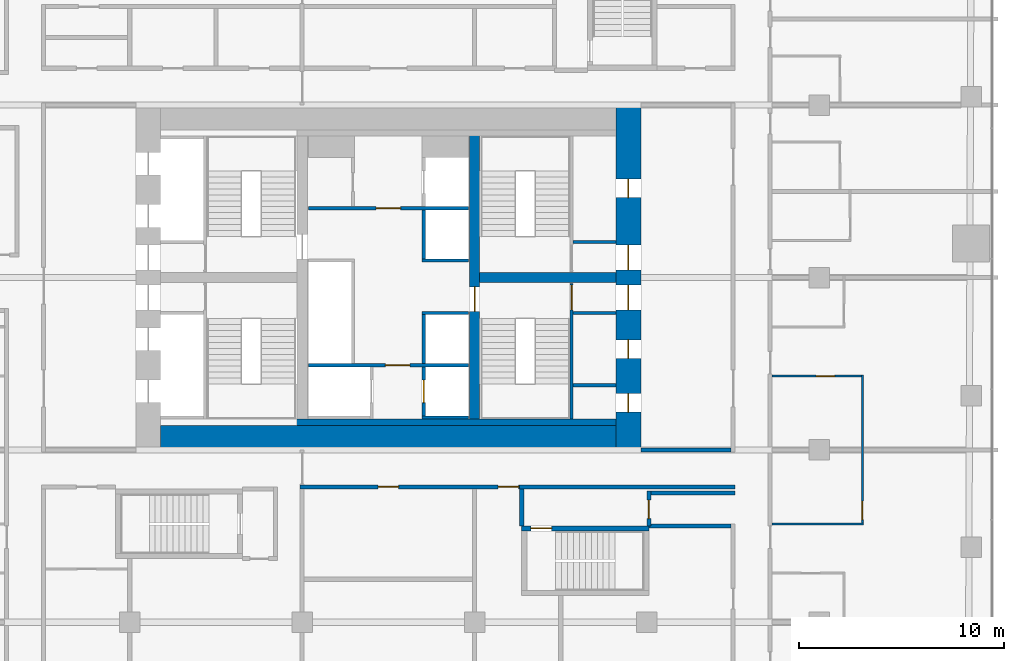
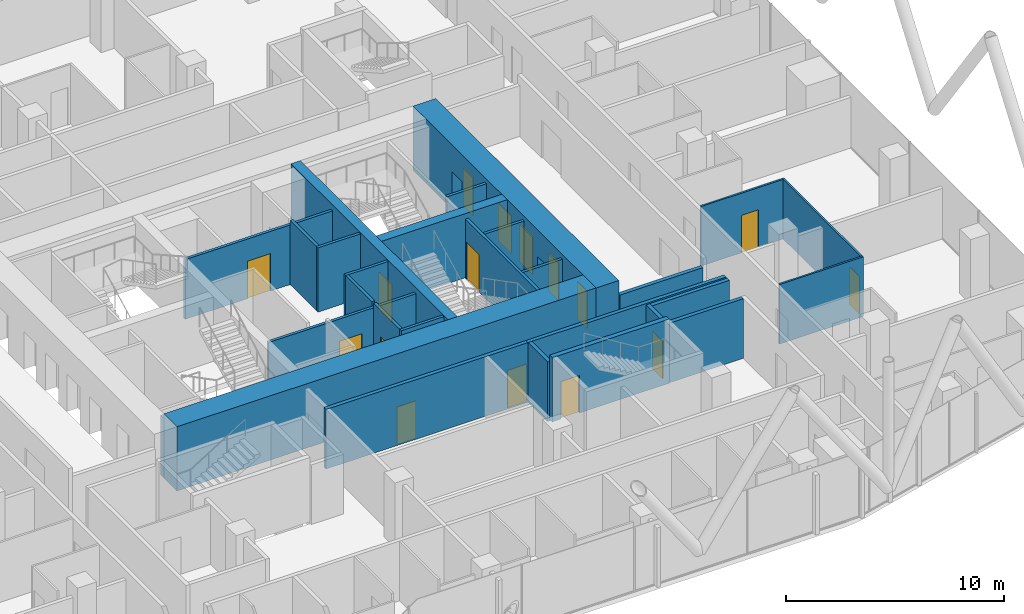
# One storey, part 27 of 34: 28 walls, 16 doors, 16 openings.
"""IFC4 building model written with IfcOpenShell, lengths in metres."""

from ifc_helpers import new_model, si_unit, direction, frame, frame_2d, origin, place, context, subcontext, project, spatial, rectangle, extrude, material, layer, layer_set, type_object, element, fill, save


model = new_model("IFC4")

# Units and contexts
model_context = context("Model", 3, precision=1e-05, world=origin(), true_north=direction((0.0, 1.0)))
body_context = subcontext(model_context, "Body", "Model", "MODEL_VIEW")
ifc_project = project(units=[si_unit("LENGTHUNIT", "METRE"), si_unit("AREAUNIT", "SQUARE_METRE"), si_unit("VOLUMEUNIT", "CUBIC_METRE"), si_unit("PLANEANGLEUNIT", "RADIAN"), si_unit("MASSUNIT", "GRAM", prefix="KILO")], contexts=[model_context])

# Site, building, storey
site_placement = place(None, origin())
site = spatial("IfcSite", under=ifc_project, at=site_placement, CompositionType="ELEMENT")
building_placement = place(site_placement, origin())
building = spatial("IfcBuilding", under=site, at=building_placement, Name="Marenta Gate Hotel Tower", CompositionType="ELEMENT")
storey_placement = place(building_placement, frame((0.0, 0.0, 47.300048828125)))
storey = spatial("IfcBuildingStorey", under=building, at=storey_placement, Name="L09", CompositionType="ELEMENT", Elevation=47.300048828125)

# Walls
ifc_material_1 = material(Name="Concrete blockwork", Category="masonry")
ifc_layer_1 = layer(ifc_material_1, 0.199951171875)
ifc_layer_set_1 = layer_set([ifc_layer_1], Name="Concrete blockwork")
wall_type_1 = type_object("IfcWallType", Name="Core boundary wall 200 REI 180", PredefinedType="PARTITIONING", material=ifc_layer_set_1)
wall_1_placement = place(storey_placement, frame((12.300048828125, 0.0, 0.0), z_axis=(0.0, 0.0, 1.0), x_axis=(1.0, 0.0, 0.0)))
element("IfcWall", 1, at=wall_1_placement, inside=storey, type_object=wall_type_1, Name="L09-CP-EW-ES", PredefinedType="PARTITIONING", context=body_context, shape_type="SweptSolid", body=[
    extrude(rectangle(XDim=4.39990234375, YDim=0.199951171875, at=frame_2d((2.199951171875, 0.0))), origin(), (0.0, 0.0, 1.0), 2.83984375),
])
ifc_material_2 = material(Name="Concrete C40", Category="concrete")
ifc_layer_2 = layer(ifc_material_2, 0.300048828125)
ifc_layer_set_2 = layer_set([ifc_layer_2], Name="Concrete C40")
wall_type_2 = type_object("IfcWallType", Name="Core lining wall 300 REI 180", PredefinedType="PARTITIONING", material=ifc_layer_set_2)
wall_2_placement = place(storey_placement, frame((-11.10009765625, 1.35009765625, 0.0), z_axis=(0.0, 0.0, 1.0), x_axis=(1.0, 0.0, 0.0)))
element("IfcWall", 2, at=wall_2_placement, inside=storey, type_object=wall_type_2, Name="L09-CP-LN-S", PredefinedType="PARTITIONING", context=body_context, shape_type="SweptSolid", body=[
    extrude(rectangle(XDim=22.2001953125, YDim=0.300048828125, at=frame_2d((11.10009765625, 0.0))), origin(), (0.0, 0.0, 1.0), 3.33984375),
])

# Wall, opening, door
ifc_material_3 = material(Name="Concrete blockwork", Category="masonry")
ifc_layer_3 = layer(ifc_material_3, 0.14990234375)
ifc_layer_set_3 = layer_set([ifc_layer_3], Name="Concrete blockwork")
wall_type_3 = type_object("IfcWallType", Name="Core lobby partition 150 REI 180", PredefinedType="PARTITIONING", material=ifc_layer_set_3)
wall_3_placement = place(storey_placement, frame((-3.89990234375, 4.125, 0.0), z_axis=(0.0, 0.0, 1.0), x_axis=(1.0, 0.0, 0.0)))
wall_3 = element("IfcWall", 3, at=wall_3_placement, inside=storey, type_object=wall_type_3, Name="L09-CP-CW-S", PredefinedType="PARTITIONING", context=body_context, shape_type="SweptSolid", body=[
    extrude(rectangle(XDim=7.7998046875, YDim=0.14990234375, at=frame_2d((3.89990234375, 0.0))), origin(), (0.0, 0.0, 1.0), 3.33984375),
])
opening_1_placement = place(wall_3_placement, frame((3.75, 0.0, 0.0)))
opening_1 = element("IfcOpeningElement", 4, at=opening_1_placement, cuts=wall_3, Name="Opening FD-FFS", PredefinedType="OPENING", context=body_context, shape_type="SweptSolid", body=[
    extrude(rectangle(XDim=1.199951171875, YDim=2.10009765625, at=frame_2d((0.60009765625, 1.050048828125))), frame((0.0, 0.074951171875, 0.0), z_axis=(0.0, -1.0, 0.0), x_axis=(1.0, 0.0, 0.0)), (0.0, 0.0, 1.0), 0.14990234375),
])
ifc_material_4 = material(Name="Steel", Category="steel")
door_type_1 = type_object("IfcDoorType", Name="Core lobby door 1200x2100 FD60", OperationType="SINGLE_SWING_LEFT", PredefinedType="DOOR", material=ifc_material_4)
door_1_placement = place(opening_1_placement, origin())
door_1 = element("IfcDoor", 5, at=door_1_placement, inside=storey, type_object=door_type_1, Name="FD-FFS", OperationType="SINGLE_SWING_LEFT", OverallHeight=2.10009765625, OverallWidth=1.199951171875, PredefinedType="DOOR", context=body_context, shape_type="SweptSolid", body=[
    extrude(rectangle(XDim=1.199951171875, YDim=2.10009765625, at=frame_2d((0.60009765625, 1.050048828125))), frame((0.0, 0.02490234375, 0.0), z_axis=(0.0, -1.0, 0.0), x_axis=(1.0, 0.0, 0.0)), (0.0, 0.0, 1.0), 0.050048828125),
])
fill(opening_1, door_1)

wall_4_placement = place(storey_placement, frame((-3.89990234375, 11.77490234375, 0.0), z_axis=(0.0, 0.0, 1.0), x_axis=(1.0, 0.0, 0.0)))
wall_4 = element("IfcWall", 6, at=wall_4_placement, inside=storey, type_object=wall_type_3, Name="L09-CP-CW-N", PredefinedType="PARTITIONING", context=body_context, shape_type="SweptSolid", body=[
    extrude(rectangle(XDim=7.7998046875, YDim=0.14990234375, at=frame_2d((3.89990234375, 0.0))), origin(), (0.0, 0.0, 1.0), 3.33984375),
])
opening_2_placement = place(wall_4_placement, frame((3.300048828125, 0.0, 0.0)))
opening_2 = element("IfcOpeningElement", 7, at=opening_2_placement, cuts=wall_4, Name="Opening FD-FFN", PredefinedType="OPENING", context=body_context, shape_type="SweptSolid", body=[
    extrude(rectangle(XDim=1.199951171875, YDim=2.10009765625, at=frame_2d((0.60009765625, 1.050048828125))), frame((0.0, 0.074951171875, 0.0), z_axis=(0.0, -1.0, 0.0), x_axis=(1.0, 0.0, 0.0)), (0.0, 0.0, 1.0), 0.14990234375),
])
door_2_placement = place(opening_2_placement, origin())
door_2 = element("IfcDoor", 8, at=door_2_placement, inside=storey, type_object=door_type_1, Name="FD-FFN", OperationType="SINGLE_SWING_LEFT", OverallHeight=2.10009765625, OverallWidth=1.199951171875, PredefinedType="DOOR", context=body_context, shape_type="SweptSolid", body=[
    extrude(rectangle(XDim=1.199951171875, YDim=2.10009765625, at=frame_2d((0.60009765625, 1.050048828125))), frame((0.0, 0.02490234375, 0.0), z_axis=(0.0, -1.0, 0.0), x_axis=(1.0, 0.0, 0.0)), (0.0, 0.0, 1.0), 0.050048828125),
])
fill(opening_2, door_2)

# Walls
ifc_material_5 = material(Name="Concrete blockwork", Category="masonry")
ifc_layer_4 = layer(ifc_material_5, 0.14990234375)
ifc_layer_set_4 = layer_set([ifc_layer_4], Name="Concrete blockwork")
wall_type_4 = type_object("IfcWallType", Name="Core room partition 150 REI 180", PredefinedType="PARTITIONING", material=ifc_layer_set_4)
for number, where, z_axis, x_axis, name in (
    (9, (9.0, 6.675048828125, 0.0), (0.0, 0.0, 1.0), (1.0, 0.0, 0.0), "L09-CP-SW-ES-2"),
    (10, (9.0, 3.14990234375, 0.0), (0.0, 0.0, 1.0), (1.0, 0.0, 0.0), "L09-CP-RW-ES-1"),
    (11, (9.0, 10.125, 0.0), (0.0, 0.0, 1.0), (1.0, 0.0, 0.0), "L09-CP-SW-EN-2"),
):
    element("IfcWall", number, at=place(storey_placement, frame(where, z_axis=z_axis, x_axis=x_axis)), inside=storey, type_object=wall_type_4, Name=name, PredefinedType="PARTITIONING", context=body_context, shape_type="SweptSolid", body=[
        extrude(rectangle(XDim=2.10009765625, YDim=0.14990234375, at=frame_2d((1.050048828125, 0.0))), origin(), (0.0, 0.0, 1.0), 3.33984375),
    ])

# Wall, opening, door
ifc_material_6 = material(Name="Concrete C40", Category="concrete")
ifc_layer_5 = layer(ifc_material_6, 0.14990234375)
ifc_layer_set_5 = layer_set([ifc_layer_5], Name="Concrete C40")
wall_type_5 = type_object("IfcWallType", Name="Core shaft wall 150 REI 180", PredefinedType="SHEAR", material=ifc_layer_set_5)
wall_5_placement = place(storey_placement, frame((1.72509765625, 1.64990234375, 0.0), z_axis=(0.0, 0.0, 1.0), x_axis=(0.0, 1.0, 0.0)))
wall_5 = element("IfcWall", 12, at=wall_5_placement, inside=storey, type_object=wall_type_5, Name="L09-SHF-CE-S-ls", PredefinedType="SHEAR", context=body_context, shape_type="SweptSolid", body=[
    extrude(rectangle(XDim=2.400146484375, YDim=0.14990234375, at=frame_2d((1.2001953125, 0.0))), origin(), (0.0, 0.0, 1.0), 3.599853515625),
])
opening_3_placement = place(wall_5_placement, frame((0.64990234375, 0.0, 0.0)))
opening_3 = element("IfcOpeningElement", 13, at=opening_3_placement, cuts=wall_5, Name="Opening LD-SV1", PredefinedType="OPENING", context=body_context, shape_type="SweptSolid", body=[
    extrude(rectangle(XDim=1.10009765625, YDim=2.10009765625, at=frame_2d((0.550048828125, 1.050048828125))), frame((0.0, 0.074951171875, 0.0), z_axis=(0.0, -1.0, 0.0), x_axis=(1.0, 0.0, 0.0)), (0.0, 0.0, 1.0), 0.14990234375),
])
ifc_material_7 = material(Name="Steel", Category="steel")
door_type_2 = type_object("IfcDoorType", Name="Core lift landing door 1100x2100 E 60", OperationType="SLIDING_TO_LEFT", PredefinedType="DOOR", material=ifc_material_7)
door_3_placement = place(opening_3_placement, origin())
door_3 = element("IfcDoor", 14, at=door_3_placement, inside=storey, type_object=door_type_2, Name="LD-SV1", OperationType="SLIDING_TO_LEFT", OverallHeight=2.10009765625, OverallWidth=1.10009765625, PredefinedType="DOOR", context=body_context, shape_type="SweptSolid", body=[
    extrude(rectangle(XDim=1.10009765625, YDim=2.10009765625, at=frame_2d((0.550048828125, 1.050048828125))), frame((0.0, 0.02490234375, 0.0), z_axis=(0.0, -1.0, 0.0), x_axis=(1.0, 0.0, 0.0)), (0.0, 0.0, 1.0), 0.050048828125),
])
fill(opening_3, door_3)

# Walls
for number, where, z_axis, x_axis, name in (
    (15, (1.64990234375, 1.574951171875, 0.0), (0.0, 0.0, 1.0), (1.0, 0.0, 0.0), "L09-SHF-CE-S-bot"),
    (16, (1.64990234375, 6.675048828125, 0.0), (0.0, 0.0, 1.0), (1.0, 0.0, 0.0), "L09-SHF-CE-sep1"),
    (17, (1.64990234375, 9.22509765625, 0.0), (0.0, 0.0, 1.0), (1.0, 0.0, 0.0), "L09-SHF-CE-sep2"),
):
    element("IfcWall", number, at=place(storey_placement, frame(where, z_axis=z_axis, x_axis=x_axis)), inside=storey, type_object=wall_type_5, Name=name, PredefinedType="SHEAR", context=body_context, shape_type="SweptSolid", body=[
        extrude(rectangle(XDim=2.25, YDim=0.14990234375, at=frame_2d((1.125, 0.0))), origin(), (0.0, 0.0, 1.0), 3.599853515625),
    ])
wall_6_placement = place(storey_placement, frame((1.72509765625, 4.199951171875, 0.0), z_axis=(0.0, 0.0, 1.0), x_axis=(0.0, 1.0, 0.0)))
element("IfcWall", 18, at=wall_6_placement, inside=storey, type_object=wall_type_5, Name="L09-SHF-CE-front-1", PredefinedType="SHEAR", context=body_context, shape_type="SweptSolid", body=[
    extrude(rectangle(XDim=2.400146484375, YDim=0.14990234375, at=frame_2d((1.2001953125, 0.0))), origin(), (0.0, 0.0, 1.0), 3.599853515625),
])
wall_7_placement = place(storey_placement, frame((1.72509765625, 9.300048828125, 0.0), z_axis=(0.0, 0.0, 1.0), x_axis=(0.0, 1.0, 0.0)))
element("IfcWall", 19, at=wall_7_placement, inside=storey, type_object=wall_type_5, Name="L09-SHF-CE-front-2", PredefinedType="SHEAR", context=body_context, shape_type="SweptSolid", body=[
    extrude(rectangle(XDim=2.39990234375, YDim=0.14990234375, at=frame_2d((1.199951171875, 0.0))), origin(), (0.0, 0.0, 1.0), 3.599853515625),
])

# Wall, opening, door
ifc_material_8 = material(Name="Concrete C40", Category="concrete")
ifc_layer_6 = layer(ifc_material_8, 0.14990234375)
ifc_layer_set_6 = layer_set([ifc_layer_6], Name="Concrete C40")
wall_type_6 = type_object("IfcWallType", Name="Core stair enclosure wall 150 REI 180", PredefinedType="SHEAR", material=ifc_layer_set_6)
wall_8_placement = place(storey_placement, frame((8.925048828125, 1.5, 0.0), z_axis=(0.0, 0.0, 1.0), x_axis=(0.0, 1.0, 0.0)))
wall_8 = element("IfcWall", 20, at=wall_8_placement, inside=storey, type_object=wall_type_6, Name="L09-SHF-SW-ES-3", PredefinedType="SHEAR", context=body_context, shape_type="SweptSolid", body=[
    extrude(rectangle(XDim=6.60009765625, YDim=0.14990234375, at=frame_2d((3.300048828125, 0.0))), origin(), (0.0, 0.0, 1.0), 3.33984375),
])
opening_4_placement = place(wall_8_placement, frame((5.324951171875, 0.0, 0.0)))
opening_4 = element("IfcOpeningElement", 21, at=opening_4_placement, cuts=wall_8, Name="Opening SD-ES", PredefinedType="OPENING", context=body_context, shape_type="SweptSolid", body=[
    extrude(rectangle(XDim=1.199951171875, YDim=2.10009765625, at=frame_2d((0.60009765625, 1.050048828125))), frame((0.0, 0.074951171875, 0.0), z_axis=(0.0, -1.0, 0.0), x_axis=(1.0, 0.0, 0.0)), (0.0, 0.0, 1.0), 0.14990234375),
])
ifc_material_9 = material(Name="Steel", Category="steel")
door_type_3 = type_object("IfcDoorType", Name="Core stair door 1200x2100 FD60", OperationType="SINGLE_SWING_LEFT", PredefinedType="DOOR", material=ifc_material_9)
door_4_placement = place(opening_4_placement, origin())
door_4 = element("IfcDoor", 22, at=door_4_placement, inside=storey, type_object=door_type_3, Name="SD-ES", OperationType="SINGLE_SWING_LEFT", OverallHeight=2.10009765625, OverallWidth=1.199951171875, PredefinedType="DOOR", context=body_context, shape_type="SweptSolid", body=[
    extrude(rectangle(XDim=1.199951171875, YDim=2.10009765625, at=frame_2d((0.60009765625, 1.050048828125))), frame((0.0, 0.02490234375, 0.0), z_axis=(0.0, -1.0, 0.0), x_axis=(1.0, 0.0, 0.0)), (0.0, 0.0, 1.0), 0.050048828125),
])
fill(opening_4, door_4)

# Wall, openings, doors
ifc_material_10 = material(Name="Concrete C80", Category="concrete")
ifc_layer_7 = layer(ifc_material_10, 1.199951171875)
ifc_layer_set_7 = layer_set([ifc_layer_7], Name="Concrete C80")
wall_type_7 = type_object("IfcWallType", Name="Core wall 1200 C80", PredefinedType="SHEAR", material=ifc_layer_set_7)
wall_9_placement = place(storey_placement, frame((11.699951171875, 0.0, 0.0), z_axis=(0.0, 0.0, 1.0), x_axis=(0.0, 1.0, 0.0)))
wall_9 = element("IfcWall", 23, at=wall_9_placement, inside=storey, type_object=wall_type_7, Name="L09-CORE-E", PredefinedType="SHEAR", context=body_context, shape_type="SweptSolid", body=[
    extrude(rectangle(XDim=16.800048828125, YDim=1.199951171875, at=frame_2d((8.39990234375, 0.0))), origin(), (0.0, 0.0, 1.0), 3.599853515625),
])
opening_5_placement = place(wall_9_placement, frame((1.83740234375, 0.0, 0.0)))
opening_5 = element("IfcOpeningElement", 24, at=opening_5_placement, cuts=wall_9, Name="Opening RD-ES-1", PredefinedType="OPENING", context=body_context, shape_type="SweptSolid", body=[
    extrude(rectangle(XDim=0.89990234375, YDim=2.10009765625, at=frame_2d((0.449951171875, 1.050048828125))), frame((0.0, 0.60009765625, 0.0), z_axis=(0.0, -1.0, 0.0), x_axis=(1.0, 0.0, 0.0)), (0.0, 0.0, 1.0), 1.199951171875),
])
opening_6_placement = place(wall_9_placement, frame((4.46240234375, 0.0, 0.0)))
opening_6 = element("IfcOpeningElement", 25, at=opening_6_placement, cuts=wall_9, Name="Opening RD-ES-2", PredefinedType="OPENING", context=body_context, shape_type="SweptSolid", body=[
    extrude(rectangle(XDim=0.89990234375, YDim=2.10009765625, at=frame_2d((0.449951171875, 1.050048828125))), frame((0.0, 0.60009765625, 0.0), z_axis=(0.0, -1.0, 0.0), x_axis=(1.0, 0.0, 0.0)), (0.0, 0.0, 1.0), 1.199951171875),
])
opening_7_placement = place(wall_9_placement, frame((6.824951171875, 0.0, 0.0)))
opening_7 = element("IfcOpeningElement", 26, at=opening_7_placement, cuts=wall_9, Name="Opening PD-ES", PredefinedType="OPENING", context=body_context, shape_type="SweptSolid", body=[
    extrude(rectangle(XDim=1.199951171875, YDim=2.10009765625, at=frame_2d((0.60009765625, 1.050048828125))), frame((0.0, 0.60009765625, 0.0), z_axis=(0.0, -1.0, 0.0), x_axis=(1.0, 0.0, 0.0)), (0.0, 0.0, 1.0), 1.199951171875),
])
opening_8_placement = place(wall_9_placement, frame((12.300048828125, 0.0, 0.0)))
opening_8 = element("IfcOpeningElement", 27, at=opening_8_placement, cuts=wall_9, Name="Opening RD-EN-1", PredefinedType="OPENING", context=body_context, shape_type="SweptSolid", body=[
    extrude(rectangle(XDim=0.89990234375, YDim=2.10009765625, at=frame_2d((0.449951171875, 1.050048828125))), frame((0.0, 0.60009765625, 0.0), z_axis=(0.0, -1.0, 0.0), x_axis=(1.0, 0.0, 0.0)), (0.0, 0.0, 1.0), 1.199951171875),
])
opening_9_placement = place(wall_9_placement, frame((8.77490234375, 0.0, 0.0)))
opening_9 = element("IfcOpeningElement", 28, at=opening_9_placement, cuts=wall_9, Name="Opening PD-EN", PredefinedType="OPENING", context=body_context, shape_type="SweptSolid", body=[
    extrude(rectangle(XDim=1.199951171875, YDim=2.10009765625, at=frame_2d((0.60009765625, 1.050048828125))), frame((0.0, 0.60009765625, 0.0), z_axis=(0.0, -1.0, 0.0), x_axis=(1.0, 0.0, 0.0)), (0.0, 0.0, 1.0), 1.199951171875),
])
door_5_placement = place(opening_7_placement, origin())
door_5 = element("IfcDoor", 29, at=door_5_placement, inside=storey, type_object=door_type_1, Name="PD-ES", OperationType="SINGLE_SWING_LEFT", OverallHeight=2.10009765625, OverallWidth=1.199951171875, PredefinedType="DOOR", context=body_context, shape_type="SweptSolid", body=[
    extrude(rectangle(XDim=1.199951171875, YDim=2.10009765625, at=frame_2d((0.60009765625, 1.050048828125))), frame((0.0, 0.02490234375, 0.0), z_axis=(0.0, -1.0, 0.0), x_axis=(1.0, 0.0, 0.0)), (0.0, 0.0, 1.0), 0.050048828125),
])
fill(opening_7, door_5)
door_6_placement = place(opening_9_placement, origin())
door_6 = element("IfcDoor", 30, at=door_6_placement, inside=storey, type_object=door_type_1, Name="PD-EN", OperationType="SINGLE_SWING_LEFT", OverallHeight=2.10009765625, OverallWidth=1.199951171875, PredefinedType="DOOR", context=body_context, shape_type="SweptSolid", body=[
    extrude(rectangle(XDim=1.199951171875, YDim=2.10009765625, at=frame_2d((0.60009765625, 1.050048828125))), frame((0.0, 0.02490234375, 0.0), z_axis=(0.0, -1.0, 0.0), x_axis=(1.0, 0.0, 0.0)), (0.0, 0.0, 1.0), 0.050048828125),
])
fill(opening_9, door_6)
ifc_material_11 = material(Name="Steel", Category="steel")
door_type_4 = type_object("IfcDoorType", Name="Core service room door 900x2100 FD30S", OperationType="SINGLE_SWING_LEFT", PredefinedType="DOOR", material=ifc_material_11)
door_7_placement = place(opening_5_placement, origin())
door_7 = element("IfcDoor", 31, at=door_7_placement, inside=storey, type_object=door_type_4, Name="RD-ES-1", OperationType="SINGLE_SWING_LEFT", OverallHeight=2.10009765625, OverallWidth=0.89990234375, PredefinedType="DOOR", context=body_context, shape_type="SweptSolid", body=[
    extrude(rectangle(XDim=0.89990234375, YDim=2.10009765625, at=frame_2d((0.449951171875, 1.050048828125))), frame((0.0, 0.02490234375, 0.0), z_axis=(0.0, -1.0, 0.0), x_axis=(1.0, 0.0, 0.0)), (0.0, 0.0, 1.0), 0.050048828125),
])
fill(opening_5, door_7)
door_8_placement = place(opening_6_placement, origin())
door_8 = element("IfcDoor", 32, at=door_8_placement, inside=storey, type_object=door_type_4, Name="RD-ES-2", OperationType="SINGLE_SWING_LEFT", OverallHeight=2.10009765625, OverallWidth=0.89990234375, PredefinedType="DOOR", context=body_context, shape_type="SweptSolid", body=[
    extrude(rectangle(XDim=0.89990234375, YDim=2.10009765625, at=frame_2d((0.449951171875, 1.050048828125))), frame((0.0, 0.02490234375, 0.0), z_axis=(0.0, -1.0, 0.0), x_axis=(1.0, 0.0, 0.0)), (0.0, 0.0, 1.0), 0.050048828125),
])
fill(opening_6, door_8)
door_9_placement = place(opening_8_placement, origin())
door_9 = element("IfcDoor", 33, at=door_9_placement, inside=storey, type_object=door_type_4, Name="RD-EN-1", OperationType="SINGLE_SWING_LEFT", OverallHeight=2.10009765625, OverallWidth=0.89990234375, PredefinedType="DOOR", context=body_context, shape_type="SweptSolid", body=[
    extrude(rectangle(XDim=0.89990234375, YDim=2.10009765625, at=frame_2d((0.449951171875, 1.050048828125))), frame((0.0, 0.02490234375, 0.0), z_axis=(0.0, -1.0, 0.0), x_axis=(1.0, 0.0, 0.0)), (0.0, 0.0, 1.0), 0.050048828125),
])
fill(opening_8, door_9)

# Wall
wall_10_placement = place(storey_placement, frame((-11.10009765625, 0.60009765625, 0.0), z_axis=(0.0, 0.0, 1.0), x_axis=(1.0, 0.0, 0.0)))
element("IfcWall", 34, at=wall_10_placement, inside=storey, type_object=wall_type_7, Name="L09-CORE-S", PredefinedType="SHEAR", context=body_context, shape_type="SweptSolid", body=[
    extrude(rectangle(XDim=22.2001953125, YDim=1.199951171875, at=frame_2d((11.10009765625, 0.0))), origin(), (0.0, 0.0, 1.0), 3.599853515625),
])

# Wall, opening, door
ifc_material_12 = material(Name="Concrete C80", Category="concrete")
ifc_layer_8 = layer(ifc_material_12, 0.5)
ifc_layer_set_8 = layer_set([ifc_layer_8], Name="Concrete C80")
wall_type_8 = type_object("IfcWallType", Name="Core web 500 C80", PredefinedType="SHEAR", material=ifc_layer_set_8)
wall_11_placement = place(storey_placement, frame((4.199951171875, 1.199951171875, 0.0), z_axis=(0.0, 0.0, 1.0), x_axis=(0.0, 1.0, 0.0)))
wall_11 = element("IfcWall", 35, at=wall_11_placement, inside=storey, type_object=wall_type_8, Name="L09-CORE-W2", PredefinedType="SHEAR", context=body_context, shape_type="SweptSolid", body=[
    extrude(rectangle(XDim=14.400146484375, YDim=0.5, at=frame_2d((7.2001953125, 0.0))), origin(), (0.0, 0.0, 1.0), 3.599853515625),
])
opening_10_placement = place(wall_11_placement, frame((5.550048828125, 0.0, 0.0)))
opening_10 = element("IfcOpeningElement", 36, at=opening_10_placement, cuts=wall_11, Name="Opening WD-E", PredefinedType="OPENING", context=body_context, shape_type="SweptSolid", body=[
    extrude(rectangle(XDim=1.199951171875, YDim=2.10009765625, at=frame_2d((0.60009765625, 1.050048828125))), frame((0.0, 0.25, 0.0), z_axis=(0.0, -1.0, 0.0), x_axis=(1.0, 0.0, 0.0)), (0.0, 0.0, 1.0), 0.5),
])
door_10_placement = place(opening_10_placement, origin())
door_10 = element("IfcDoor", 37, at=door_10_placement, inside=storey, type_object=door_type_3, Name="WD-E", OperationType="SINGLE_SWING_LEFT", OverallHeight=2.10009765625, OverallWidth=1.199951171875, PredefinedType="DOOR", context=body_context, shape_type="SweptSolid", body=[
    extrude(rectangle(XDim=1.199951171875, YDim=2.10009765625, at=frame_2d((0.60009765625, 1.050048828125))), frame((0.0, 0.02490234375, 0.0), z_axis=(0.0, -1.0, 0.0), x_axis=(1.0, 0.0, 0.0)), (0.0, 0.0, 1.0), 0.050048828125),
])
fill(opening_10, door_10)

# Wall
wall_12_placement = place(storey_placement, frame((4.449951171875, 8.39990234375, 0.0), z_axis=(0.0, 0.0, 1.0), x_axis=(1.0, 0.0, 0.0)))
element("IfcWall", 38, at=wall_12_placement, inside=storey, type_object=wall_type_8, Name="L09-CORE-W4", PredefinedType="SHEAR", context=body_context, shape_type="SweptSolid", body=[
    extrude(rectangle(XDim=6.650146484375, YDim=0.5, at=frame_2d((3.3251953125, 0.0))), origin(), (0.0, 0.0, 1.0), 3.599853515625),
])

# Wall, opening, door
ifc_material_13 = material(Name="Concrete C40", Category="concrete")
ifc_layer_9 = layer(ifc_material_13, 0.25)
ifc_layer_set_9 = layer_set([ifc_layer_9], Name="Concrete C40")
wall_type_9 = type_object("IfcWallType", Name="Remote stair enclosure wall 250 REI 180", PredefinedType="SHEAR", material=ifc_layer_set_9)
wall_13_placement = place(storey_placement, frame((6.5, -3.824951171875, 0.099853515625), z_axis=(0.0, 0.0, 1.0), x_axis=(1.0, 0.0, 0.0)))
wall_13 = element("IfcWall", 39, at=wall_13_placement, inside=storey, type_object=wall_type_9, Name="L09-RS-Z1-1-W2", PredefinedType="SHEAR", context=body_context, shape_type="SweptSolid", body=[
    extrude(rectangle(XDim=6.199951171875, YDim=0.25, at=frame_2d((3.10009765625, 0.0))), origin(), (0.0, 0.0, 1.0), 3.60009765625),
])
opening_11_placement = place(wall_13_placement, frame((0.449951171875, 0.0, 0.0)))
opening_11 = element("IfcOpeningElement", 40, at=opening_11_placement, cuts=wall_13, Name="Opening VD", PredefinedType="OPENING", context=body_context, shape_type="SweptSolid", body=[
    extrude(rectangle(XDim=1.0, YDim=2.10009765625, at=frame_2d((0.5, 1.050048828125))), frame((0.0, 0.125, 0.0), z_axis=(0.0, -1.0, 0.0), x_axis=(1.0, 0.0, 0.0)), (0.0, 0.0, 1.0), 0.25),
])
ifc_material_14 = material(Name="Steel", Category="steel")
door_type_5 = type_object("IfcDoorType", Name="Stair vestibule door 1000x2100 FD60", OperationType="SINGLE_SWING_LEFT", PredefinedType="DOOR", material=ifc_material_14)
door_11_placement = place(opening_11_placement, origin())
door_11 = element("IfcDoor", 41, at=door_11_placement, inside=storey, type_object=door_type_5, Name="VD", OperationType="SINGLE_SWING_LEFT", OverallHeight=2.10009765625, OverallWidth=1.0, PredefinedType="DOOR", context=body_context, shape_type="SweptSolid", body=[
    extrude(rectangle(XDim=1.0, YDim=2.10009765625, at=frame_2d((0.5, 1.050048828125))), frame((0.0, 0.02490234375, 0.0), z_axis=(0.0, -1.0, 0.0), x_axis=(1.0, 0.0, 0.0)), (0.0, 0.0, 1.0), 0.050048828125),
])
fill(opening_11, door_11)

# Wall
ifc_material_15 = material(Name="Gypsum board on steel stud", Category="steel")
ifc_layer_10 = layer(ifc_material_15, 0.199951171875)
ifc_layer_set_10 = layer_set([ifc_layer_10], Name="Gypsum board on steel stud")
wall_type_10 = type_object("IfcWallType", Name="Room corridor wall 200 EI 60", PredefinedType="PARTITIONING", material=ifc_layer_set_10)
wall_14_placement = place(storey_placement, frame((12.699951171875, -3.699951171875, 0.0), z_axis=(0.0, 0.0, 1.0), x_axis=(1.0, 0.0, 0.0)))
element("IfcWall", 42, at=wall_14_placement, inside=storey, type_object=wall_type_10, Name="L09-PTN-W051", PredefinedType="PARTITIONING", context=body_context, shape_type="SweptSolid", body=[
    extrude(rectangle(XDim=4.0, YDim=0.199951171875, at=frame_2d((2.0, 0.0))), origin(), (0.0, 0.0, 1.0), 3.33984375),
])

# Wall, openings, doors
wall_15_placement = place(storey_placement, frame((-4.300048828125, -1.800048828125, 0.0), z_axis=(0.0, 0.0, 1.0), x_axis=(1.0, 0.0, 0.0)))
wall_15 = element("IfcWall", 43, at=wall_15_placement, inside=storey, type_object=wall_type_10, Name="L09-PTN-W058", PredefinedType="PARTITIONING", context=body_context, shape_type="SweptSolid", body=[
    extrude(rectangle(XDim=10.900146484375, YDim=0.199951171875, at=frame_2d((5.4501953125, 0.0))), origin(), (0.0, 0.0, 1.0), 3.33984375),
])
opening_12_placement = place(wall_15_placement, frame((9.64990234375, 0.0, 0.0)))
opening_12 = element("IfcOpeningElement", 44, at=opening_12_placement, cuts=wall_15, Name="Opening G03-06", PredefinedType="OPENING", context=body_context, shape_type="SweptSolid", body=[
    extrude(rectangle(XDim=1.0, YDim=2.10009765625, at=frame_2d((0.5, 1.050048828125))), frame((0.0, 0.10009765625, 0.0), z_axis=(0.0, -1.0, 0.0), x_axis=(1.0, 0.0, 0.0)), (0.0, 0.0, 1.0), 0.199951171875),
])
opening_13_placement = place(wall_15_placement, frame((3.800048828125, 0.0, 0.0)))
opening_13 = element("IfcOpeningElement", 45, at=opening_13_placement, cuts=wall_15, Name="Opening G03-67", PredefinedType="OPENING", context=body_context, shape_type="SweptSolid", body=[
    extrude(rectangle(XDim=1.0, YDim=2.10009765625, at=frame_2d((0.5, 1.050048828125))), frame((0.0, 0.10009765625, 0.0), z_axis=(0.0, -1.0, 0.0), x_axis=(1.0, 0.0, 0.0)), (0.0, 0.0, 1.0), 0.199951171875),
])
ifc_material_16 = material(Name="Timber door leaf", Category="wood")
door_type_6 = type_object("IfcDoorType", Name="Room amenity door 1000x2100 EI 30", OperationType="NOTDEFINED", PredefinedType="DOOR", material=ifc_material_16)
door_12_placement = place(opening_12_placement, origin())
door_12 = element("IfcDoor", 46, at=door_12_placement, inside=storey, type_object=door_type_6, Name="L09-PD-D006", OperationType="SINGLE_SWING_LEFT", OverallHeight=2.10009765625, OverallWidth=1.0, PredefinedType="DOOR", context=body_context, shape_type="SweptSolid", body=[
    extrude(rectangle(XDim=1.0, YDim=2.10009765625, at=frame_2d((0.5, 1.050048828125))), frame((0.0, 0.02490234375, 0.0), z_axis=(0.0, -1.0, 0.0), x_axis=(1.0, 0.0, 0.0)), (0.0, 0.0, 1.0), 0.050048828125),
])
fill(opening_12, door_12)
door_13_placement = place(opening_13_placement, origin())
door_13 = element("IfcDoor", 47, at=door_13_placement, inside=storey, type_object=door_type_6, Name="L09-PD-D067", OperationType="SINGLE_SWING_LEFT", OverallHeight=2.10009765625, OverallWidth=1.0, PredefinedType="DOOR", context=body_context, shape_type="SweptSolid", body=[
    extrude(rectangle(XDim=1.0, YDim=2.10009765625, at=frame_2d((0.5, 1.050048828125))), frame((0.0, 0.02490234375, 0.0), z_axis=(0.0, -1.0, 0.0), x_axis=(1.0, 0.0, 0.0)), (0.0, 0.0, 1.0), 0.050048828125),
])
fill(opening_13, door_13)

# Wall, opening, door
ifc_material_17 = material(Name="Concrete blockwork", Category="masonry")
ifc_layer_11 = layer(ifc_material_17, 0.199951171875)
ifc_layer_set_11 = layer_set([ifc_layer_11], Name="Concrete blockwork")
wall_type_11 = type_object("IfcWallType", Name="Room corridor wall 200 REI 180", PredefinedType="PARTITIONING", material=ifc_layer_set_11)
wall_16_placement = place(storey_placement, frame((12.699951171875, -3.699951171875, 0.0), z_axis=(0.0, 0.0, 1.0), x_axis=(0.0, 1.0, 0.0)))
wall_16 = element("IfcWall", 48, at=wall_16_placement, inside=storey, type_object=wall_type_11, Name="L09-PTN-W026", PredefinedType="PARTITIONING", context=body_context, shape_type="SweptSolid", body=[
    extrude(rectangle(XDim=1.699951171875, YDim=0.199951171875, at=frame_2d((0.85009765625, 0.0))), origin(), (0.0, 0.0, 1.0), 3.33984375),
])
opening_14_placement = place(wall_16_placement, frame((0.35009765625, 0.0, 0.0)))
opening_14 = element("IfcOpeningElement", 49, at=opening_14_placement, cuts=wall_16, Name="Opening G03-58", PredefinedType="OPENING", context=body_context, shape_type="SweptSolid", body=[
    extrude(rectangle(XDim=0.89990234375, YDim=2.10009765625, at=frame_2d((0.449951171875, 1.050048828125))), frame((0.0, 0.10009765625, 0.0), z_axis=(0.0, -1.0, 0.0), x_axis=(1.0, 0.0, 0.0)), (0.0, 0.0, 1.0), 0.199951171875),
])
ifc_material_18 = material(Name="Hollow steel door set", Category="steel")
door_type_7 = type_object("IfcDoorType", Name="Stair vestibule door 900x2100 EI 60", OperationType="NOTDEFINED", PredefinedType="DOOR", material=ifc_material_18)
door_14_placement = place(opening_14_placement, origin())
door_14 = element("IfcDoor", 50, at=door_14_placement, inside=storey, type_object=door_type_7, Name="L09-PD-D058", OperationType="SINGLE_SWING_LEFT", OverallHeight=2.10009765625, OverallWidth=0.89990234375, PredefinedType="DOOR", context=body_context, shape_type="SweptSolid", body=[
    extrude(rectangle(XDim=0.89990234375, YDim=2.10009765625, at=frame_2d((0.449951171875, 1.050048828125))), frame((0.0, 0.02490234375, 0.0), z_axis=(0.0, -1.0, 0.0), x_axis=(1.0, 0.0, 0.0)), (0.0, 0.0, 1.0), 0.050048828125),
])
fill(opening_14, door_14)

# Walls
wall_17_placement = place(storey_placement, frame((12.800048828125, -2.10009765625, 0.0), z_axis=(0.0, 0.0, 1.0), x_axis=(1.0, 0.0, 0.0)))
element("IfcWall", 51, at=wall_17_placement, inside=storey, type_object=wall_type_11, Name="L09-PTN-W054", PredefinedType="PARTITIONING", context=body_context, shape_type="SweptSolid", body=[
    extrude(rectangle(XDim=4.099853515625, YDim=0.199951171875, at=frame_2d((2.0498046875, 0.0))), origin(), (0.0, 0.0, 1.0), 3.33984375),
])
wall_18_placement = place(storey_placement, frame((6.39990234375, -1.800048828125, 0.0), z_axis=(0.0, 0.0, 1.0), x_axis=(1.0, 0.0, 0.0)))
element("IfcWall", 52, at=wall_18_placement, inside=storey, type_object=wall_type_11, Name="L09-PTN-W059", PredefinedType="PARTITIONING", context=body_context, shape_type="SweptSolid", body=[
    extrude(rectangle(XDim=10.5, YDim=0.199951171875, at=frame_2d((5.25, 0.0))), origin(), (0.0, 0.0, 1.0), 3.33984375),
])

# Wall, opening, door
ifc_material_19 = material(Name="Gypsum board on steel stud", Category="steel")
ifc_layer_12 = layer(ifc_material_19, 0.10009765625)
ifc_layer_set_12 = layer_set([ifc_layer_12], Name="Gypsum board on steel stud")
wall_type_12 = type_object("IfcWallType", Name="Room partition 100", PredefinedType="PARTITIONING", material=ifc_layer_set_12)
wall_19_placement = place(storey_placement, frame((23.10009765625, -3.550048828125, 0.0), z_axis=(0.0, 0.0, 1.0), x_axis=(0.0, 1.0, 0.0)))
wall_19 = element("IfcWall", 53, at=wall_19_placement, inside=storey, type_object=wall_type_12, Name="L09-PTN-W001", PredefinedType="PARTITIONING", context=body_context, shape_type="SweptSolid", body=[
    extrude(rectangle(XDim=7.199951171875, YDim=0.10009765625, at=frame_2d((3.60009765625, 0.0))), origin(), (0.0, 0.0, 1.0), 3.33984375),
])
opening_15_placement = place(wall_19_placement, frame((0.14990234375, 0.0, 0.0)))
opening_15 = element("IfcOpeningElement", 54, at=opening_15_placement, cuts=wall_19, Name="Opening G03-11", PredefinedType="OPENING", context=body_context, shape_type="SweptSolid", body=[
    extrude(rectangle(XDim=0.89990234375, YDim=2.10009765625, at=frame_2d((0.449951171875, 1.050048828125))), frame((0.0, 0.050048828125, 0.0), z_axis=(0.0, -1.0, 0.0), x_axis=(1.0, 0.0, 0.0)), (0.0, 0.0, 1.0), 0.10009765625),
])
ifc_material_20 = material(Name="Timber door leaf", Category="wood")
door_type_8 = type_object("IfcDoorType", Name="Guest bathroom door 900x2100", OperationType="NOTDEFINED", PredefinedType="DOOR", material=ifc_material_20)
door_15_placement = place(opening_15_placement, origin())
door_15 = element("IfcDoor", 55, at=door_15_placement, inside=storey, type_object=door_type_8, Name="L09-PD-D011", OperationType="SINGLE_SWING_LEFT", OverallHeight=2.10009765625, OverallWidth=0.89990234375, PredefinedType="DOOR", context=body_context, shape_type="SweptSolid", body=[
    extrude(rectangle(XDim=0.89990234375, YDim=2.10009765625, at=frame_2d((0.449951171875, 1.050048828125))), frame((0.0, 0.02490234375, 0.0), z_axis=(0.0, -1.0, 0.0), x_axis=(1.0, 0.0, 0.0)), (0.0, 0.0, 1.0), 0.050048828125),
])
fill(opening_15, door_15)

# Wall
wall_20_placement = place(storey_placement, frame((18.699951171875, -3.60009765625, 0.0), z_axis=(0.0, 0.0, 1.0), x_axis=(1.0, 0.0, 0.0)))
element("IfcWall", 56, at=wall_20_placement, inside=storey, type_object=wall_type_12, Name="L09-PTN-W053", PredefinedType="PARTITIONING", context=body_context, shape_type="SweptSolid", body=[
    extrude(rectangle(XDim=4.449951171875, YDim=0.10009765625, at=frame_2d((2.22509765625, 0.0))), origin(), (0.0, 0.0, 1.0), 3.33984375),
])

# Wall, opening, door
wall_21_placement = place(storey_placement, frame((18.699951171875, 3.60009765625, 0.0), z_axis=(0.0, 0.0, 1.0), x_axis=(1.0, 0.0, 0.0)))
wall_21 = element("IfcWall", 57, at=wall_21_placement, inside=storey, type_object=wall_type_12, Name="L09-PTN-W067", PredefinedType="PARTITIONING", context=body_context, shape_type="SweptSolid", body=[
    extrude(rectangle(XDim=4.35009765625, YDim=0.10009765625, at=frame_2d((2.175048828125, 0.0))), origin(), (0.0, 0.0, 1.0), 3.33984375),
])
opening_16_placement = place(wall_21_placement, frame((2.14990234375, 0.0, 0.0)))
opening_16 = element("IfcOpeningElement", 58, at=opening_16_placement, cuts=wall_21, Name="Opening G03-14", PredefinedType="OPENING", context=body_context, shape_type="SweptSolid", body=[
    extrude(rectangle(XDim=0.89990234375, YDim=2.10009765625, at=frame_2d((0.449951171875, 1.050048828125))), frame((0.0, 0.050048828125, 0.0), z_axis=(0.0, -1.0, 0.0), x_axis=(1.0, 0.0, 0.0)), (0.0, 0.0, 1.0), 0.10009765625),
])
door_16_placement = place(opening_16_placement, origin())
door_16 = element("IfcDoor", 59, at=door_16_placement, inside=storey, type_object=door_type_8, Name="L09-PD-D014", OperationType="SINGLE_SWING_LEFT", OverallHeight=2.10009765625, OverallWidth=0.89990234375, PredefinedType="DOOR", context=body_context, shape_type="SweptSolid", body=[
    extrude(rectangle(XDim=0.89990234375, YDim=2.10009765625, at=frame_2d((0.449951171875, 1.050048828125))), frame((0.0, 0.02490234375, 0.0), z_axis=(0.0, -1.0, 0.0), x_axis=(1.0, 0.0, 0.0)), (0.0, 0.0, 1.0), 0.050048828125),
])
fill(opening_16, door_16)

# Wall
ifc_material_21 = material(Name="Concrete blockwork", Category="masonry")
ifc_layer_13 = layer(ifc_material_21, 0.199951171875)
ifc_layer_set_13 = layer_set([ifc_layer_13], Name="Concrete blockwork")
wall_type_13 = type_object("IfcWallType", Name="Room party wall 200 REI 180", PredefinedType="PARTITIONING", material=ifc_layer_set_13)
wall_22_placement = place(storey_placement, frame((6.5, -3.699951171875, 0.0), z_axis=(0.0, 0.0, 1.0), x_axis=(0.0, 1.0, 0.0)))
element("IfcWall", 60, at=wall_22_placement, inside=storey, type_object=wall_type_13, Name="L09-PTN-W040", PredefinedType="PARTITIONING", context=body_context, shape_type="SweptSolid", body=[
    extrude(rectangle(XDim=1.800048828125, YDim=0.199951171875, at=frame_2d((0.89990234375, 0.0))), origin(), (0.0, 0.0, 1.0), 3.33984375),
])

save(model, "model.ifc")
